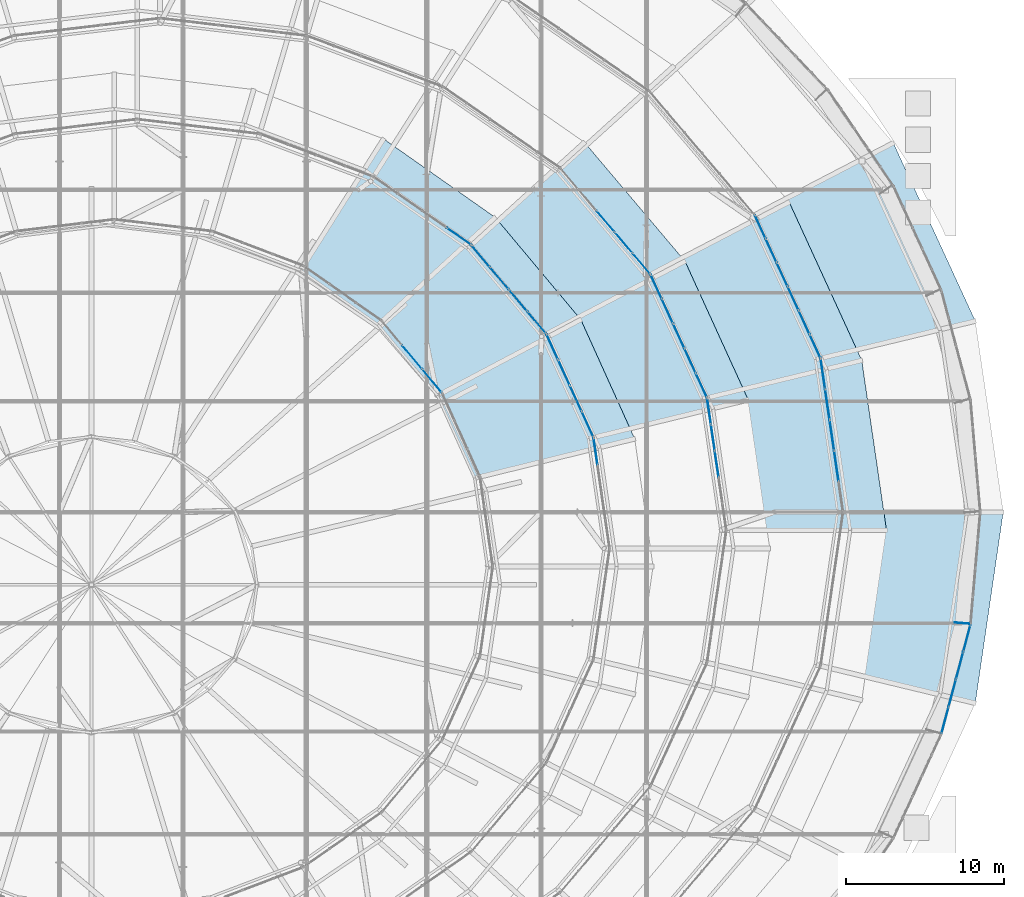
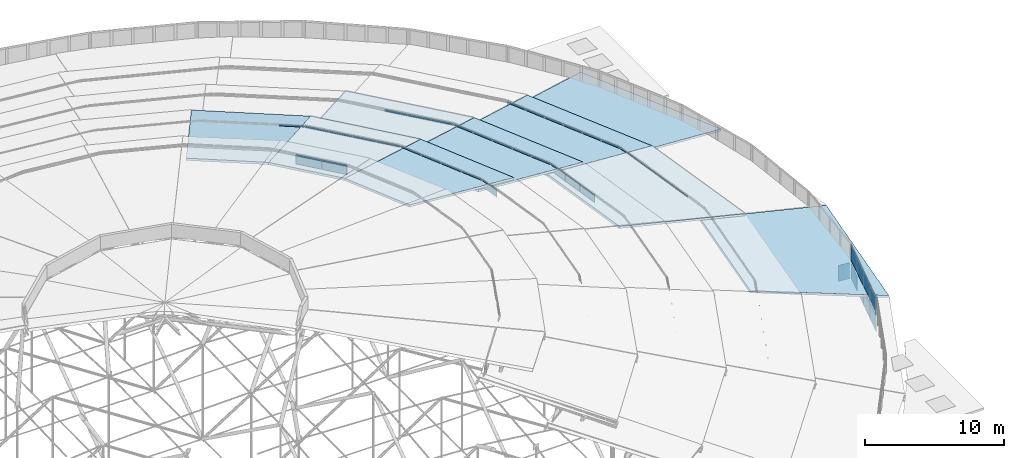
# One storey, part 153 of 173: 42 plates, 9 slabs, 15 elements without a shape of their own.
"""IFC4 building model written with IfcOpenShell, lengths in metres."""

import ifcopenshell
import ifcopenshell.guid

model = None  # the IFC model being written
_history = None  # IfcOwnerHistory: only IFC2X3 demands one
_inside = {}  # id of a spatial element -> (the spatial element, [elements in it])
_under = {}  # id of a project, library or spatial element -> (it, [spatial elements below it])
_declared = {}  # id of a project -> (the project, [libraries it declares])
_typed = {}  # id of a type object -> (the type object, [elements of that type])
_made_of = {}  # id of a material, layer set ... -> (it, [elements and type objects made of it])


def new_model(schema):
    """Start an empty IFC model of exactly this schema.

    Asked for "IFC4X3", IfcOpenShell would pick the latest addendum, in which some entities
    have other attributes; the version numbers below select the first issue.
    IFC2X3 requires an IfcOwnerHistory on every rooted entity: one is made here for all.
    """
    global model, _history
    if schema == "IFC4X3":
        model = ifcopenshell.file(schema_version=(4, 3, 0, 0))
    else:
        model = ifcopenshell.file(schema=schema)
    _inside.clear()
    _under.clear()
    _declared.clear()
    _typed.clear()
    _made_of.clear()
    _history = None
    if model.schema == "IFC2X3":
        org = make("IfcOrganization", Name="unknown")
        user = make(
            "IfcPersonAndOrganization",
            ThePerson=make("IfcPerson", FamilyName="unknown"),
            TheOrganization=org,
        )
        app = make(
            "IfcApplication",
            ApplicationDeveloper=org,
            Version="unknown",
            ApplicationFullName="unknown",
            ApplicationIdentifier="unknown",
        )
        _history = make(
            "IfcOwnerHistory",
            OwningUser=user,
            OwningApplication=app,
            ChangeAction="ADDED",
            CreationDate=0,
        )
    return model


def make(cls, **values):
    """One entity of the class cls with the attributes given. An attribute that is None is left unset."""
    return model.create_entity(
        cls, **{name: value for name, value in values.items() if value is not None}
    )


def rooted(cls, **values):
    """An entity with a GlobalId (a new one), such as an element, a storey or a relation."""
    return make(cls, GlobalId=ifcopenshell.guid.new(), OwnerHistory=_history, **values)


def si_unit(unit_type, name, prefix=None):
    """IfcSIUnit, for example si_unit("LENGTHUNIT", "METRE", prefix="MILLI")."""
    return make("IfcSIUnit", UnitType=unit_type, Prefix=prefix, Name=name)


def assignment(units):
    """IfcUnitAssignment: the units of a project."""
    return None if units is None else make("IfcUnitAssignment", Units=units)


def point(xyz):
    """IfcCartesianPoint."""
    return None if xyz is None else make("IfcCartesianPoint", Coordinates=xyz)


def direction(xyz):
    """IfcDirection."""
    return None if xyz is None else make("IfcDirection", DirectionRatios=xyz)


def frame(location, z_axis=None, x_axis=None):
    """IfcAxis2Placement3D, a coordinate frame: its origin and axes. An axis left out is left unset."""
    return make(
        "IfcAxis2Placement3D",
        Location=point(location),
        Axis=direction(z_axis),
        RefDirection=direction(x_axis),
    )


def frame_2d(location, x_axis=None):
    """IfcAxis2Placement2D, a coordinate frame in the plane: its origin and x axis."""
    return make(
        "IfcAxis2Placement2D", Location=point(location), RefDirection=direction(x_axis)
    )


def origin():
    """The frame at (0, 0, 0) with its axes left unset."""
    return frame((0.0, 0.0, 0.0))


def origin_2d():
    """The frame at (0, 0) in the plane with its x axis left unset."""
    return frame_2d((0.0, 0.0))


def place(relative_to, where):
    """IfcLocalPlacement: puts the frame where relative to a parent placement (None: the world)."""
    return make(
        "IfcLocalPlacement", PlacementRelTo=relative_to, RelativePlacement=where
    )


def context(
    kind, dimensions, precision=None, world=None, true_north=None, identifier=None
):
    """IfcGeometricRepresentationContext, for example the 3D "Model" context."""
    return make(
        "IfcGeometricRepresentationContext",
        ContextIdentifier=identifier,
        ContextType=kind,
        CoordinateSpaceDimension=dimensions,
        Precision=precision,
        WorldCoordinateSystem=world,
        TrueNorth=true_north,
    )


def subcontext(parent, identifier, kind, view, scale=None):
    """IfcGeometricRepresentationSubContext, for example "Body" below "Model"."""
    return make(
        "IfcGeometricRepresentationSubContext",
        ContextIdentifier=identifier,
        ContextType=kind,
        ParentContext=parent,
        TargetScale=scale,
        TargetView=view,
    )


def project(units=None, contexts=None):
    """IfcProject with its units and contexts."""
    return rooted(
        "IfcProject",
        Name="project",
        RepresentationContexts=contexts,
        UnitsInContext=assignment(units),
    )


def spatial(cls, under=None, at=None, **own):
    """A site, building, storey or space (cls), placed at a placement, below another one or the project."""
    s = rooted(cls, ObjectPlacement=at, **own)
    if under is not None:
        _under.setdefault(under.id(), (under, []))[1].append(s)
    return s


def polyline(points):
    """IfcPolyline through the points."""
    return make("IfcPolyline", Points=[point(p) for p in points])


def profile(cls, at=None, kind="AREA", **sizes):
    """A parametric profile (cls). Its sizes go by their IFC names, for example OverallWidth=200.0."""
    return make(cls, ProfileType=kind, Position=at, **sizes)


def rectangle(**sizes):
    """IfcRectangleProfileDef."""
    return profile("IfcRectangleProfileDef", **sizes)


def outline(outer, holes=None, kind="AREA"):
    """IfcArbitraryClosedProfileDef: a profile drawn as a closed curve; with holes, ...WithVoids."""
    if holes is None:
        return make("IfcArbitraryClosedProfileDef", ProfileType=kind, OuterCurve=outer)
    return make(
        "IfcArbitraryProfileDefWithVoids",
        ProfileType=kind,
        OuterCurve=outer,
        InnerCurves=holes,
    )


def extrude(swept, where, along, depth):
    """IfcExtrudedAreaSolid: the profile swept, set in the frame where, extruded along a direction by depth."""
    return make(
        "IfcExtrudedAreaSolid",
        SweptArea=swept,
        Position=where,
        ExtrudedDirection=direction(along),
        Depth=depth,
    )


def shape(context_of_items, identifier, shape_type, items):
    """IfcShapeRepresentation: the items that make up one representation, for example the "Body"."""
    return make(
        "IfcShapeRepresentation",
        ContextOfItems=context_of_items,
        RepresentationIdentifier=identifier,
        RepresentationType=shape_type,
        Items=items,
    )


def material(Name=None, Category=None):
    """IfcMaterial."""
    return make("IfcMaterial", Name=Name, Category=Category)


def layer(
    of_material, thickness, ventilated=None, Name=None, Category=None, Priority=None
):
    """IfcMaterialLayer: one layer of a wall or slab, of a material (None: an air gap)."""
    return make(
        "IfcMaterialLayer",
        Material=of_material,
        LayerThickness=thickness,
        IsVentilated=ventilated,
        Name=Name,
        Category=Category,
        Priority=Priority,
    )


def layer_set(layers, Name=None):
    """IfcMaterialLayerSet."""
    return make("IfcMaterialLayerSet", MaterialLayers=layers, LayerSetName=Name)


def made_of(thing, what):
    """Note that an element or type object is made of a material, layer set ...; save() writes the relation."""
    if what is not None:
        _made_of.setdefault(what.id(), (what, []))[1].append(thing)
    return thing


def type_object(cls, material=None, **own):
    """A type object (cls), such as IfcWallType, which elements share."""
    return made_of(rooted(cls, **own), material)


def element(
    cls,
    number,
    at=None,
    inside=None,
    cuts=None,
    type_object=None,
    material=None,
    context=None,
    identifier="Body",
    shape_type=None,
    held_by="IfcProductDefinitionShape",
    body=None,
    shapes=None,
    **own,
):
    """One element of the class cls, such as IfcWall. Its Tag is "e" and its number.

    at: its placement. inside: the storey or other place that contains it. cuts: it is an
    opening in that element (IfcRelVoidsElement). A single representation is given by context,
    identifier, shape_type and body (its items); several are given by shapes. held_by: the class
    of the entity that holds the representations. save() writes the other relations.
    """
    e = rooted(cls, Tag="e%d" % number, ObjectPlacement=at, **own)
    if body is not None:
        shapes = [shape(context, identifier, shape_type, body)]
    if shapes is not None:
        e.Representation = make(held_by, Representations=shapes)
    if inside is not None:
        _inside.setdefault(inside.id(), (inside, []))[1].append(e)
    if cuts is not None:
        rooted(
            "IfcRelVoidsElement", RelatingBuildingElement=cuts, RelatedOpeningElement=e
        )
    if type_object is not None:
        _typed.setdefault(type_object.id(), (type_object, []))[1].append(e)
    return made_of(e, material)


def aggregate(whole, parts):
    """IfcRelAggregates: a whole, such as a stair, and the parts it consists of."""
    return rooted("IfcRelAggregates", RelatingObject=whole, RelatedObjects=parts)


def save(model, path):
    """Write the relations noted so far, then the file.

    IfcRelAggregates (storeys below a building ...), IfcRelContainedInSpatialStructure (elements
    in a storey), IfcRelDefinesByType, IfcRelAssociatesMaterial and IfcRelDeclares: one each for
    every whole, place, type object, material and project.
    """
    for whole, parts in _under.values():
        aggregate(whole, parts)
    for where, things in _inside.values():
        rooted(
            "IfcRelContainedInSpatialStructure",
            RelatedElements=things,
            RelatingStructure=where,
        )
    for kind, things in _typed.values():
        rooted("IfcRelDefinesByType", RelatedObjects=things, RelatingType=kind)
    for what, things in _made_of.values():
        rooted("IfcRelAssociatesMaterial", RelatedObjects=things, RelatingMaterial=what)
    for by, libraries in _declared.values():
        rooted("IfcRelDeclares", RelatingContext=by, RelatedDefinitions=libraries)
    model.write(path)


model = new_model("IFC4")

# Units and contexts
model_context = context("Model", 3, precision=1e-05, world=origin(), true_north=direction((0.0, 1.0)))
body_context = subcontext(model_context, "Body", "Model", "MODEL_VIEW")
ifc_project = project(units=[si_unit("LENGTHUNIT", "METRE"), si_unit("AREAUNIT", "SQUARE_METRE"), si_unit("VOLUMEUNIT", "CUBIC_METRE"), si_unit("PLANEANGLEUNIT", "RADIAN"), si_unit("MASSUNIT", "GRAM", prefix="KILO")], contexts=[model_context])

# Site, building, storey
site_placement = place(None, origin())
site = spatial("IfcSite", under=ifc_project, at=site_placement, CompositionType="ELEMENT")
building_placement = place(site_placement, origin())
building = spatial("IfcBuilding", under=site, at=building_placement, Name="Glasvene Arena", CompositionType="ELEMENT")
storey_placement = place(building_placement, frame((0.0, 0.0, 28.800048828125)))
storey = spatial("IfcBuildingStorey", under=building, at=storey_placement, Name="RF", CompositionType="ELEMENT", Elevation=28.800048828125)

# Curtain wall, plates
ifc_material_1 = material(Name="Low-emissivity laminated double glazing", Category="glass")
curtain_wall_type_1 = type_object("IfcCurtainWallType", Name="CW-PET1-986x75", PredefinedType="USERDEFINED", material=ifc_material_1)
curtain_wall_1_placement = place(storey_placement, frame((133.85009765625, 73.0, 0.0)))
curtain_wall_1 = element("IfcCurtainWall", 1, at=curtain_wall_1_placement, inside=storey, type_object=curtain_wall_type_1, Name="Petal ring 1-2 clerestory curtain wall 01", ObjectType="CURTAIN WALL", PredefinedType="USERDEFINED")
ifc_layer_1 = layer(ifc_material_1, 0.028076171875)
ifc_layer_set_1 = layer_set([ifc_layer_1], Name="Low-emissivity laminated double glazing")
plate_type_1 = type_object("IfcPlateType", Name="CW-GLZ-28", PredefinedType="CURTAIN_PANEL", material=ifc_layer_set_1)
plate_1_placement = place(storey_placement, frame((133.422119140625, 75.92724609375, 2.6298828125), z_axis=(0.0, 0.0, 1.0), x_axis=(-0.144607878249, 0.989489040641, 0.0)))
plate_1 = element("IfcPlate", 2, at=plate_1_placement, type_object=plate_type_1, Name="CW-081 panel 2.1", PredefinedType="CURTAIN_PANEL", context=body_context, shape_type="SweptSolid", body=[
    extrude(rectangle(XDim=1.922119140625, YDim=0.028076171875, at=origin_2d()), origin(), (0.0, 0.0, 1.0), 0.64990234375),
])
plate_2_placement = place(storey_placement, frame((133.136962890625, 77.878662109375, 2.6298828125), z_axis=(0.0, 0.0, 1.0), x_axis=(-0.144607878249, 0.989489040641, 0.0)))
plate_2 = element("IfcPlate", 3, at=plate_2_placement, type_object=plate_type_1, Name="CW-081 panel 3.1", PredefinedType="CURTAIN_PANEL", context=body_context, shape_type="SweptSolid", body=[
    extrude(rectangle(XDim=1.922119140625, YDim=0.028076171875, at=origin_2d()), origin(), (0.0, 0.0, 1.0), 0.64990234375),
])
plate_3_placement = place(storey_placement, frame((132.851806640625, 79.830322265625, 2.6298828125), z_axis=(0.0, 0.0, 1.0), x_axis=(-0.144607878249, 0.989489040641, 0.0)))
plate_3 = element("IfcPlate", 4, at=plate_3_placement, type_object=plate_type_1, Name="CW-081 panel 4.1", PredefinedType="CURTAIN_PANEL", context=body_context, shape_type="SweptSolid", body=[
    extrude(rectangle(XDim=1.922119140625, YDim=0.028076171875, at=origin_2d()), origin(), (0.0, 0.0, 1.0), 0.64990234375),
])
plate_4_placement = place(storey_placement, frame((132.568359375, 81.769287109375, 2.6298828125), z_axis=(0.0, 0.0, 1.0), x_axis=(-0.144607878249, 0.989489040641, 0.0)))
plate_4 = element("IfcPlate", 5, at=plate_4_placement, type_object=plate_type_1, Name="CW-081 panel 5.1", PredefinedType="CURTAIN_PANEL", context=body_context, shape_type="SweptSolid", body=[
    extrude(rectangle(XDim=1.897216796875, YDim=0.028076171875, at=origin_2d()), origin(), (0.0, 0.0, 1.0), 0.64990234375),
])
aggregate(curtain_wall_1, [plate_1, plate_2, plate_3, plate_4])

curtain_wall_type_2 = type_object("IfcCurtainWallType", Name="CW-PET1-1001x75", PredefinedType="USERDEFINED", material=ifc_material_1)
curtain_wall_2_placement = place(storey_placement, frame((132.424072265625, 82.757568359375, 0.0)))
curtain_wall_2 = element("IfcCurtainWall", 6, at=curtain_wall_2_placement, inside=storey, type_object=curtain_wall_type_2, Name="Petal ring 1-2 clerestory curtain wall 02", ObjectType="CURTAIN WALL", PredefinedType="USERDEFINED")
plate_5_placement = place(storey_placement, frame((132.0703125, 83.526611328125, 2.6298828125), z_axis=(0.0, 0.0, 1.0), x_axis=(-0.41776127596, 0.908556831634, 0.0)))
plate_5 = element("IfcPlate", 7, at=plate_5_placement, type_object=plate_type_1, Name="CW-082 panel 1.1", PredefinedType="CURTAIN_PANEL", context=body_context, shape_type="SweptSolid", body=[
    extrude(rectangle(XDim=1.593017578125, YDim=0.028076171875, at=origin_2d()), origin(), (0.0, 0.0, 1.0), 0.64990234375),
])
plate_6_placement = place(storey_placement, frame((131.37890625, 85.030517578125, 2.6298828125), z_axis=(0.0, 0.0, 1.0), x_axis=(-0.41776127596, 0.908556831634, 0.0)))
plate_6 = element("IfcPlate", 8, at=plate_6_placement, type_object=plate_type_1, Name="CW-082 panel 2.1", PredefinedType="CURTAIN_PANEL", context=body_context, shape_type="SweptSolid", body=[
    extrude(rectangle(XDim=1.617919921875, YDim=0.028076171875, at=origin_2d()), origin(), (0.0, 0.0, 1.0), 0.64990234375),
])
plate_7_placement = place(storey_placement, frame((130.681884765625, 86.546142578125, 2.6298828125), z_axis=(0.0, 0.0, 1.0), x_axis=(-0.41776127596, 0.908556831634, 0.0)))
plate_7 = element("IfcPlate", 9, at=plate_7_placement, type_object=plate_type_1, Name="CW-082 panel 3.1", PredefinedType="CURTAIN_PANEL", context=body_context, shape_type="SweptSolid", body=[
    extrude(rectangle(XDim=1.617919921875, YDim=0.028076171875, at=origin_2d()), origin(), (0.0, 0.0, 1.0), 0.64990234375),
])
plate_8_placement = place(storey_placement, frame((129.985107421875, 88.0615234375, 2.6298828125), z_axis=(0.0, 0.0, 1.0), x_axis=(-0.41776127596, 0.908556831634, 0.0)))
plate_8 = element("IfcPlate", 10, at=plate_8_placement, type_object=plate_type_1, Name="CW-082 panel 4.1", PredefinedType="CURTAIN_PANEL", context=body_context, shape_type="SweptSolid", body=[
    extrude(rectangle(XDim=1.617919921875, YDim=0.028076171875, at=origin_2d()), origin(), (0.0, 0.0, 1.0), 0.64990234375),
])
plate_9_placement = place(storey_placement, frame((129.288330078125, 89.576904296875, 2.6298828125), z_axis=(0.0, 0.0, 1.0), x_axis=(-0.41776127596, 0.908556831634, 0.0)))
plate_9 = element("IfcPlate", 11, at=plate_9_placement, type_object=plate_type_1, Name="CW-082 panel 5.1", PredefinedType="CURTAIN_PANEL", context=body_context, shape_type="SweptSolid", body=[
    extrude(rectangle(XDim=1.617919921875, YDim=0.028076171875, at=origin_2d()), origin(), (0.0, 0.0, 1.0), 0.64990234375),
])
plate_10_placement = place(storey_placement, frame((128.596923828125, 91.0810546875, 2.6298828125), z_axis=(0.0, 0.0, 1.0), x_axis=(-0.41776127596, 0.908556831634, 0.0)))
plate_10 = element("IfcPlate", 12, at=plate_10_placement, type_object=plate_type_1, Name="CW-082 panel 6.1", PredefinedType="CURTAIN_PANEL", context=body_context, shape_type="SweptSolid", body=[
    extrude(rectangle(XDim=1.593017578125, YDim=0.028076171875, at=origin_2d()), origin(), (0.0, 0.0, 1.0), 0.64990234375),
])
aggregate(curtain_wall_2, [plate_5, plate_6, plate_7, plate_8, plate_9, plate_10])

curtain_wall_type_3 = type_object("IfcCurtainWallType", Name="CW-PET2-849x75", PredefinedType="USERDEFINED", material=ifc_material_1)
curtain_wall_3_placement = place(storey_placement, frame((126.449951171875, 71.85009765625, 0.0)))
curtain_wall_3 = element("IfcCurtainWall", 13, at=curtain_wall_3_placement, inside=storey, type_object=curtain_wall_type_3, Name="Petal ring 2-3 clerestory curtain wall 01", ObjectType="CURTAIN WALL", PredefinedType="USERDEFINED")
plate_11_placement = place(storey_placement, frame((125.83837890625, 76.04931640625, 5.22998046875), z_axis=(0.0, 0.0, 1.0), x_axis=(-0.144132635268, 0.98955837799, 0.0)))
plate_11 = element("IfcPlate", 14, at=plate_11_placement, type_object=plate_type_1, Name="CW-087 panel 3.1", PredefinedType="CURTAIN_PANEL", context=body_context, shape_type="SweptSolid", body=[
    extrude(rectangle(XDim=1.6474609375, YDim=0.028076171875, at=origin_2d()), origin(), (0.0, 0.0, 1.0), 0.64990234375),
])
plate_12_placement = place(storey_placement, frame((125.59375, 77.72900390625, 5.22998046875), z_axis=(0.0, 0.0, 1.0), x_axis=(-0.144132635268, 0.98955837799, 0.0)))
plate_12 = element("IfcPlate", 15, at=plate_12_placement, type_object=plate_type_1, Name="CW-087 panel 4.1", PredefinedType="CURTAIN_PANEL", context=body_context, shape_type="SweptSolid", body=[
    extrude(rectangle(XDim=1.6474609375, YDim=0.028076171875, at=origin_2d()), origin(), (0.0, 0.0, 1.0), 0.64990234375),
])
plate_13_placement = place(storey_placement, frame((125.350830078125, 79.396484375, 5.22998046875), z_axis=(0.0, 0.0, 1.0), x_axis=(-0.144132635268, 0.98955837799, 0.0)))
plate_13 = element("IfcPlate", 16, at=plate_13_placement, type_object=plate_type_1, Name="CW-087 panel 5.1", PredefinedType="CURTAIN_PANEL", context=body_context, shape_type="SweptSolid", body=[
    extrude(rectangle(XDim=1.62255859375, YDim=0.028076171875, at=origin_2d()), origin(), (0.0, 0.0, 1.0), 0.64990234375),
])
aggregate(curtain_wall_3, [plate_11, plate_12, plate_13])

curtain_wall_type_4 = type_object("IfcCurtainWallType", Name="CW-PET2-861x75", PredefinedType="USERDEFINED", material=ifc_material_1)
curtain_wall_4_placement = place(storey_placement, frame((125.226806640625, 80.248779296875, 0.0)))
curtain_wall_4 = element("IfcCurtainWall", 17, at=curtain_wall_4_placement, inside=storey, type_object=curtain_wall_type_4, Name="Petal ring 2-3 clerestory curtain wall 02", ObjectType="CURTAIN WALL", PredefinedType="USERDEFINED")
plate_14_placement = place(storey_placement, frame((124.86279296875, 81.042724609375, 5.22998046875), z_axis=(0.0, 0.0, 1.0), x_axis=(-0.416591913749, 0.909093602111, 0.0)))
plate_14 = element("IfcPlate", 18, at=plate_14_placement, type_object=plate_type_1, Name="CW-088 panel 1.1", PredefinedType="CURTAIN_PANEL", context=body_context, shape_type="SweptSolid", body=[
    extrude(rectangle(XDim=1.646728515625, YDim=0.028076171875, at=origin_2d()), origin(), (0.0, 0.0, 1.0), 0.64990234375),
])
plate_15_placement = place(storey_placement, frame((124.15087890625, 82.5966796875, 5.22998046875), z_axis=(0.0, 0.0, 1.0), x_axis=(-0.416591913749, 0.909093602111, 0.0)))
plate_15 = element("IfcPlate", 19, at=plate_15_placement, type_object=plate_type_1, Name="CW-088 panel 2.1", PredefinedType="CURTAIN_PANEL", context=body_context, shape_type="SweptSolid", body=[
    extrude(rectangle(XDim=1.671875, YDim=0.028076171875, at=origin_2d()), origin(), (0.0, 0.0, 1.0), 0.64990234375),
])
plate_16_placement = place(storey_placement, frame((123.43359375, 84.161865234375, 5.22998046875), z_axis=(0.0, 0.0, 1.0), x_axis=(-0.416591913749, 0.909093602111, 0.0)))
plate_16 = element("IfcPlate", 20, at=plate_16_placement, type_object=plate_type_1, Name="CW-088 panel 3.1", PredefinedType="CURTAIN_PANEL", context=body_context, shape_type="SweptSolid", body=[
    extrude(rectangle(XDim=1.671875, YDim=0.028076171875, at=origin_2d()), origin(), (0.0, 0.0, 1.0), 0.64990234375),
])
plate_17_placement = place(storey_placement, frame((122.71630859375, 85.72705078125, 5.22998046875), z_axis=(0.0, 0.0, 1.0), x_axis=(-0.416591913749, 0.909093602111, 0.0)))
plate_17 = element("IfcPlate", 21, at=plate_17_placement, type_object=plate_type_1, Name="CW-088 panel 4.1", PredefinedType="CURTAIN_PANEL", context=body_context, shape_type="SweptSolid", body=[
    extrude(rectangle(XDim=1.671875, YDim=0.028076171875, at=origin_2d()), origin(), (0.0, 0.0, 1.0), 0.64990234375),
])
plate_18_placement = place(storey_placement, frame((122.004150390625, 87.281005859375, 5.22998046875), z_axis=(0.0, 0.0, 1.0), x_axis=(-0.416591913749, 0.909093602111, 0.0)))
plate_18 = element("IfcPlate", 22, at=plate_18_placement, type_object=plate_type_1, Name="CW-088 panel 5.1", PredefinedType="CURTAIN_PANEL", context=body_context, shape_type="SweptSolid", body=[
    extrude(rectangle(XDim=1.646728515625, YDim=0.028076171875, at=origin_2d()), origin(), (0.0, 0.0, 1.0), 0.64990234375),
])
aggregate(curtain_wall_4, [plate_14, plate_15, plate_16, plate_17, plate_18])

curtain_wall_type_5 = type_object("IfcCurtainWallType", Name="CW-PET2-882x75", PredefinedType="USERDEFINED", material=ifc_material_1)
curtain_wall_5_placement = place(storey_placement, frame((121.640380859375, 88.074951171875, 0.0)))
curtain_wall_5 = element("IfcCurtainWall", 23, at=curtain_wall_5_placement, inside=storey, type_object=curtain_wall_type_5, Name="Petal ring 2-3 clerestory curtain wall 03", ObjectType="CURTAIN WALL", PredefinedType="USERDEFINED")
plate_19_placement = place(storey_placement, frame((121.061767578125, 88.756591796875, 5.22998046875), z_axis=(0.0, 0.0, 1.0), x_axis=(-0.647166893632, 0.762348353305, 0.0)))
plate_19 = element("IfcPlate", 24, at=plate_19_placement, type_object=plate_type_1, Name="CW-089 panel 1.1", PredefinedType="CURTAIN_PANEL", context=body_context, shape_type="SweptSolid", body=[
    extrude(rectangle(XDim=1.688232421875, YDim=0.028076171875, at=origin_2d()), origin(), (0.0, 0.0, 1.0), 0.64990234375),
])
plate_20_placement = place(storey_placement, frame((119.9287109375, 90.091064453125, 5.22998046875), z_axis=(0.0, 0.0, 1.0), x_axis=(-0.647166893632, 0.762348353305, 0.0)))
plate_20 = element("IfcPlate", 25, at=plate_20_placement, type_object=plate_type_1, Name="CW-089 panel 2.1", PredefinedType="CURTAIN_PANEL", context=body_context, shape_type="SweptSolid", body=[
    extrude(rectangle(XDim=1.713134765625, YDim=0.028076171875, at=origin_2d()), origin(), (0.0, 0.0, 1.0), 0.64990234375),
])
plate_21_placement = place(storey_placement, frame((118.78759765625, 91.435302734375, 5.22998046875), z_axis=(0.0, 0.0, 1.0), x_axis=(-0.647166893632, 0.762348353305, 0.0)))
plate_21 = element("IfcPlate", 26, at=plate_21_placement, type_object=plate_type_1, Name="CW-089 panel 3.1", PredefinedType="CURTAIN_PANEL", context=body_context, shape_type="SweptSolid", body=[
    extrude(rectangle(XDim=1.713134765625, YDim=0.028076171875, at=origin_2d()), origin(), (0.0, 0.0, 1.0), 0.64990234375),
])
aggregate(curtain_wall_5, [plate_19, plate_20, plate_21])

# Curtain wall, plate
curtain_wall_type_6 = type_object("IfcCurtainWallType", Name="CW-PET3-711x75", PredefinedType="USERDEFINED", material=ifc_material_1)
curtain_wall_6_placement = place(storey_placement, frame((119.050048828125, 70.699951171875, 0.0)))
curtain_wall_6 = element("IfcCurtainWall", 27, at=curtain_wall_6_placement, inside=storey, type_object=curtain_wall_type_6, Name="Petal ring 3-4 clerestory curtain wall 01", ObjectType="CURTAIN WALL", PredefinedType="USERDEFINED")
plate_22_placement = place(storey_placement, frame((118.158935546875, 76.84765625, 7.8798828125), z_axis=(0.0, 0.0, 1.0), x_axis=(-0.143460001758, 0.989656115979, 0.0)))
plate_22 = element("IfcPlate", 28, at=plate_22_placement, type_object=plate_type_1, Name="CW-093 panel 4.1", PredefinedType="CURTAIN_PANEL", context=body_context, shape_type="SweptSolid", body=[
    extrude(rectangle(XDim=1.703369140625, YDim=0.028076171875, at=origin_2d()), origin(), (0.0, 0.0, 1.0), 0.64990234375),
])
aggregate(curtain_wall_6, [plate_22])

# Curtain wall, plates
curtain_wall_type_7 = type_object("IfcCurtainWallType", Name="CW-PET3-721x75", PredefinedType="USERDEFINED", material=ifc_material_1)
curtain_wall_7_placement = place(storey_placement, frame((118.029541015625, 77.739990234375, 0.0)))
curtain_wall_7 = element("IfcCurtainWall", 29, at=curtain_wall_7_placement, inside=storey, type_object=curtain_wall_type_7, Name="Petal ring 3-4 clerestory curtain wall 02", ObjectType="CURTAIN WALL", PredefinedType="USERDEFINED")
plate_23_placement = place(storey_placement, frame((117.650390625, 78.5712890625, 7.8798828125), z_axis=(0.0, 0.0, 1.0), x_axis=(-0.414967716717, 0.909836135842, 0.0)))
plate_23 = element("IfcPlate", 30, at=plate_23_placement, type_object=plate_type_1, Name="CW-094 panel 1.1", PredefinedType="CURTAIN_PANEL", context=body_context, shape_type="SweptSolid", body=[
    extrude(rectangle(XDim=1.7275390625, YDim=0.028076171875, at=origin_2d()), origin(), (0.0, 0.0, 1.0), 0.64990234375),
])
plate_24_placement = place(storey_placement, frame((116.907470703125, 80.199951171875, 7.8798828125), z_axis=(0.0, 0.0, 1.0), x_axis=(-0.414967716717, 0.909836135842, 0.0)))
plate_24 = element("IfcPlate", 31, at=plate_24_placement, type_object=plate_type_1, Name="CW-094 panel 2.1", PredefinedType="CURTAIN_PANEL", context=body_context, shape_type="SweptSolid", body=[
    extrude(rectangle(XDim=1.75244140625, YDim=0.028076171875, at=origin_2d()), origin(), (0.0, 0.0, 1.0), 0.64990234375),
])
plate_25_placement = place(storey_placement, frame((116.159423828125, 81.83984375, 7.8798828125), z_axis=(0.0, 0.0, 1.0), x_axis=(-0.414967716717, 0.909836135842, 0.0)))
plate_25 = element("IfcPlate", 32, at=plate_25_placement, type_object=plate_type_1, Name="CW-094 panel 3.1", PredefinedType="CURTAIN_PANEL", context=body_context, shape_type="SweptSolid", body=[
    extrude(rectangle(XDim=1.75244140625, YDim=0.028076171875, at=origin_2d()), origin(), (0.0, 0.0, 1.0), 0.64990234375),
])
plate_26_placement = place(storey_placement, frame((115.416748046875, 83.468505859375, 7.8798828125), z_axis=(0.0, 0.0, 1.0), x_axis=(-0.414967716717, 0.909836135842, 0.0)))
plate_26 = element("IfcPlate", 33, at=plate_26_placement, type_object=plate_type_1, Name="CW-094 panel 4.1", PredefinedType="CURTAIN_PANEL", context=body_context, shape_type="SweptSolid", body=[
    extrude(rectangle(XDim=1.7275390625, YDim=0.028076171875, at=origin_2d()), origin(), (0.0, 0.0, 1.0), 0.64990234375),
])
aggregate(curtain_wall_7, [plate_23, plate_24, plate_25, plate_26])

curtain_wall_type_8 = type_object("IfcCurtainWallType", Name="CW-PET3-737x75", PredefinedType="USERDEFINED", material=ifc_material_1)
curtain_wall_8_placement = place(storey_placement, frame((115.03759765625, 84.300048828125, 0.0)))
curtain_wall_8 = element("IfcCurtainWall", 34, at=curtain_wall_8_placement, inside=storey, type_object=curtain_wall_type_8, Name="Petal ring 3-4 clerestory curtain wall 03", ObjectType="CURTAIN WALL", PredefinedType="USERDEFINED")
plate_27_placement = place(storey_placement, frame((114.4345703125, 85.013671875, 7.8798828125), z_axis=(0.0, 0.0, 1.0), x_axis=(-0.645393801566, 0.763850012044, 0.0)))
plate_27 = element("IfcPlate", 35, at=plate_27_placement, type_object=plate_type_1, Name="CW-095 panel 1.1", PredefinedType="CURTAIN_PANEL", context=body_context, shape_type="SweptSolid", body=[
    extrude(rectangle(XDim=1.768798828125, YDim=0.028076171875, at=origin_2d()), origin(), (0.0, 0.0, 1.0), 0.64990234375),
])
plate_28_placement = place(storey_placement, frame((113.252685546875, 86.41259765625, 7.8798828125), z_axis=(0.0, 0.0, 1.0), x_axis=(-0.645393801566, 0.763850012044, 0.0)))
plate_28 = element("IfcPlate", 36, at=plate_28_placement, type_object=plate_type_1, Name="CW-095 panel 2.1", PredefinedType="CURTAIN_PANEL", context=body_context, shape_type="SweptSolid", body=[
    extrude(rectangle(XDim=1.793701171875, YDim=0.028076171875, at=origin_2d()), origin(), (0.0, 0.0, 1.0), 0.64990234375),
])
plate_29_placement = place(storey_placement, frame((112.062744140625, 87.82080078125, 7.8798828125), z_axis=(0.0, 0.0, 1.0), x_axis=(-0.645393801566, 0.763850012044, 0.0)))
plate_29 = element("IfcPlate", 37, at=plate_29_placement, type_object=plate_type_1, Name="CW-095 panel 3.1", PredefinedType="CURTAIN_PANEL", context=body_context, shape_type="SweptSolid", body=[
    extrude(rectangle(XDim=1.793701171875, YDim=0.028076171875, at=origin_2d()), origin(), (0.0, 0.0, 1.0), 0.64990234375),
])
plate_30_placement = place(storey_placement, frame((110.880859375, 89.219482421875, 7.8798828125), z_axis=(0.0, 0.0, 1.0), x_axis=(-0.645393801566, 0.763850012044, 0.0)))
plate_30 = element("IfcPlate", 38, at=plate_30_placement, type_object=plate_type_1, Name="CW-095 panel 4.1", PredefinedType="CURTAIN_PANEL", context=body_context, shape_type="SweptSolid", body=[
    extrude(rectangle(XDim=1.768798828125, YDim=0.028076171875, at=origin_2d()), origin(), (0.0, 0.0, 1.0), 0.64990234375),
])
aggregate(curtain_wall_8, [plate_27, plate_28, plate_29, plate_30])

# Curtain wall, plate
curtain_wall_type_9 = type_object("IfcCurtainWallType", Name="CW-PET3-756x75", PredefinedType="USERDEFINED", material=ifc_material_1)
curtain_wall_9_placement = place(storey_placement, frame((110.27783203125, 89.933349609375, 0.0)))
curtain_wall_9 = element("IfcCurtainWall", 39, at=curtain_wall_9_placement, inside=storey, type_object=curtain_wall_type_9, Name="Petal ring 3-4 clerestory curtain wall 04", ObjectType="CURTAIN WALL", PredefinedType="USERDEFINED")
plate_31_placement = place(storey_placement, frame((109.4921875, 90.480712890625, 7.8798828125), z_axis=(0.0, 0.0, 1.0), x_axis=(-0.82043313701, 0.571742483725, 0.0)))
plate_31 = element("IfcPlate", 40, at=plate_31_placement, type_object=plate_type_1, Name="CW-096 panel 1.1", PredefinedType="CURTAIN_PANEL", context=body_context, shape_type="SweptSolid", body=[
    extrude(rectangle(XDim=1.815185546875, YDim=0.028076171875, at=origin_2d()), origin(), (0.0, 0.0, 1.0), 0.64990234375),
])
aggregate(curtain_wall_9, [plate_31])

# Curtain wall, plates
curtain_wall_type_10 = type_object("IfcCurtainWallType", Name="CW-PET4-594x92", PredefinedType="USERDEFINED", material=ifc_material_1)
curtain_wall_10_placement = place(storey_placement, frame((108.4345703125, 80.550048828125, 0.0)))
curtain_wall_10 = element("IfcCurtainWall", 41, at=curtain_wall_10_placement, inside=storey, type_object=curtain_wall_type_10, Name="Petal ring 4-5 clerestory curtain wall 03", ObjectType="CURTAIN WALL", PredefinedType="USERDEFINED")
plate_32_placement = place(storey_placement, frame((107.791015625, 81.31884765625, 10.580078125), z_axis=(0.0, 0.0, 1.0), x_axis=(-0.64187958935, 0.766805446496, 0.0)))
plate_32 = element("IfcPlate", 42, at=plate_32_placement, type_object=plate_type_1, Name="CW-101 panel 1.1", PredefinedType="CURTAIN_PANEL", context=body_context, shape_type="SweptSolid", body=[
    extrude(rectangle(XDim=1.90576171875, YDim=0.028076171875, at=origin_2d()), origin(), (0.0, 0.0, 1.0), 0.81591796875),
])
plate_33_placement = place(storey_placement, frame((106.527587890625, 82.828125, 10.580078125), z_axis=(0.0, 0.0, 1.0), x_axis=(-0.64187958935, 0.766805446496, 0.0)))
plate_33 = element("IfcPlate", 43, at=plate_33_placement, type_object=plate_type_1, Name="CW-101 panel 2.1", PredefinedType="CURTAIN_PANEL", context=body_context, shape_type="SweptSolid", body=[
    extrude(rectangle(XDim=1.9306640625, YDim=0.028076171875, at=origin_2d()), origin(), (0.0, 0.0, 1.0), 0.81591796875),
])
aggregate(curtain_wall_10, [plate_32, plate_33])

curtain_wall_type_11 = type_object("IfcCurtainWallType", Name="CW-DRUM-719x310", PredefinedType="USERDEFINED", material=ifc_material_1)
curtain_wall_11_placement = place(storey_placement, frame((140.075927734375, 58.92431640625, 0.0)))
curtain_wall_11 = element("IfcCurtainWall", 44, at=curtain_wall_11_placement, inside=storey, type_object=curtain_wall_type_11, Name="Crown compression-ring fascia curtain wall 39", ObjectType="CURTAIN WALL", PredefinedType="USERDEFINED")
ifc_material_2 = material(Name="Insulated shadow-box spandrel panel")
ifc_layer_2 = layer(ifc_material_2, 0.02392578125)
ifc_layer_set_2 = layer_set([ifc_layer_2], Name="Insulated shadow-box spandrel panel")
plate_type_2 = type_object("IfcPlateType", Name="CW-SPN-24", PredefinedType="CURTAIN_PANEL", material=ifc_layer_set_2)
plate_34_placement = place(storey_placement, frame((140.310546875, 59.80517578125, -1.330078125), z_axis=(0.0, 0.0, 1.0), x_axis=(0.257447172039, 0.966292374807, 0.0)))
plate_34 = element("IfcPlate", 45, at=plate_34_placement, type_object=plate_type_2, Name="CW-072 panel 1.1", PredefinedType="CURTAIN_PANEL", context=body_context, shape_type="SweptSolid", body=[
    extrude(rectangle(XDim=1.72314453125, YDim=0.02392578125, at=origin_2d()), origin(), (0.0, 0.0, 1.0), 1.324951171875),
])
plate_35_placement = place(storey_placement, frame((140.310546875, 59.80517578125, 0.044921875), z_axis=(0.0, 0.0, 1.0), x_axis=(0.257447172039, 0.966292374807, 0.0)))
plate_35 = element("IfcPlate", 46, at=plate_35_placement, type_object=plate_type_2, Name="CW-072 panel 1.2", PredefinedType="CURTAIN_PANEL", context=body_context, shape_type="SweptSolid", body=[
    extrude(rectangle(XDim=1.72314453125, YDim=0.02392578125, at=origin_2d()), origin(), (0.0, 0.0, 1.0), 1.625),
])
plate_36_placement = place(storey_placement, frame((140.770263671875, 61.530517578125, -1.330078125), z_axis=(0.0, 0.0, 1.0), x_axis=(0.257447172039, 0.966292374807, 0.0)))
plate_36 = element("IfcPlate", 47, at=plate_36_placement, type_object=plate_type_2, Name="CW-072 panel 2.1", PredefinedType="CURTAIN_PANEL", context=body_context, shape_type="SweptSolid", body=[
    extrude(rectangle(XDim=1.748046875, YDim=0.02392578125, at=origin_2d()), origin(), (0.0, 0.0, 1.0), 1.324951171875),
])
plate_37_placement = place(storey_placement, frame((140.770263671875, 61.530517578125, 0.044921875), z_axis=(0.0, 0.0, 1.0), x_axis=(0.257447172039, 0.966292374807, 0.0)))
plate_37 = element("IfcPlate", 48, at=plate_37_placement, type_object=plate_type_2, Name="CW-072 panel 2.2", PredefinedType="CURTAIN_PANEL", context=body_context, shape_type="SweptSolid", body=[
    extrude(rectangle(XDim=1.748046875, YDim=0.02392578125, at=origin_2d()), origin(), (0.0, 0.0, 1.0), 1.625),
])
plate_38_placement = place(storey_placement, frame((141.233154296875, 63.26806640625, -1.330078125), z_axis=(0.0, 0.0, 1.0), x_axis=(0.257447172039, 0.966292374807, 0.0)))
plate_38 = element("IfcPlate", 49, at=plate_38_placement, type_object=plate_type_2, Name="CW-072 panel 3.1", PredefinedType="CURTAIN_PANEL", context=body_context, shape_type="SweptSolid", body=[
    extrude(rectangle(XDim=1.748046875, YDim=0.02392578125, at=origin_2d()), origin(), (0.0, 0.0, 1.0), 1.324951171875),
])
plate_39_placement = place(storey_placement, frame((141.233154296875, 63.26806640625, 0.044921875), z_axis=(0.0, 0.0, 1.0), x_axis=(0.257447172039, 0.966292374807, 0.0)))
plate_39 = element("IfcPlate", 50, at=plate_39_placement, type_object=plate_type_2, Name="CW-072 panel 3.2", PredefinedType="CURTAIN_PANEL", context=body_context, shape_type="SweptSolid", body=[
    extrude(rectangle(XDim=1.748046875, YDim=0.02392578125, at=origin_2d()), origin(), (0.0, 0.0, 1.0), 1.625),
])
plate_40_placement = place(storey_placement, frame((141.69287109375, 64.99365234375, -1.330078125), z_axis=(0.0, 0.0, 1.0), x_axis=(0.257447172039, 0.966292374807, 0.0)))
plate_40 = element("IfcPlate", 51, at=plate_40_placement, type_object=plate_type_2, Name="CW-072 panel 4.1", PredefinedType="CURTAIN_PANEL", context=body_context, shape_type="SweptSolid", body=[
    extrude(rectangle(XDim=1.72314453125, YDim=0.02392578125, at=origin_2d()), origin(), (0.0, 0.0, 1.0), 1.324951171875),
])
plate_41_placement = place(storey_placement, frame((141.69287109375, 64.99365234375, 0.044921875), z_axis=(0.0, 0.0, 1.0), x_axis=(0.257447172039, 0.966292374807, 0.0)))
plate_41 = element("IfcPlate", 52, at=plate_41_placement, type_object=plate_type_2, Name="CW-072 panel 4.2", PredefinedType="CURTAIN_PANEL", context=body_context, shape_type="SweptSolid", body=[
    extrude(rectangle(XDim=1.72314453125, YDim=0.02392578125, at=origin_2d()), origin(), (0.0, 0.0, 1.0), 1.625),
])
aggregate(curtain_wall_11, [plate_34, plate_35, plate_36, plate_37, plate_38, plate_39, plate_40, plate_41])

# Plate
ifc_material_3 = material(Name="Steel S355J2", Category="steel")
ifc_layer_3 = layer(ifc_material_3, 0.035888671875)
ifc_layer_set_3 = layer_set([ifc_layer_3], Name="Steel S355J2")
plate_type_3 = type_object("IfcPlateType", Name="PL-CAP-36", PredefinedType="SHEET", material=ifc_layer_set_3)
plate_42_placement = place(storey_placement, frame((141.384521484375, 65.96044921875, -1.409912109375), z_axis=(0.0, 0.0, 1.0), x_axis=(0.087155742748, 0.996194698092, 0.0)))
element("IfcPlate", 53, at=plate_42_placement, inside=storey, type_object=plate_type_3, Name="Ring beam node diaphragm cap plate ND-40", PredefinedType="SHEET", context=body_context, shape_type="SweptSolid", body=[
    extrude(rectangle(XDim=0.035888671875, YDim=0.919921875, at=origin_2d()), origin(), (0.0, 0.0, 1.0), 1.419921875),
])

# Roof, slabs
ifc_material_4 = material(Name="Smooth matte white insulated roof panel")
ifc_layer_4 = layer(ifc_material_4, 0.179931640625)
ifc_layer_set_4 = layer_set([ifc_layer_4], Name="Smooth matte white insulated roof panel")
roof_type = type_object("IfcRoofType", Name="RF-PETAL-ASSY", PredefinedType="PAVILION_ROOF", material=ifc_layer_set_4)
roof_1_placement = place(storey_placement, frame((92.0, 73.0, 0.0)))
roof_1 = element("IfcRoof", 54, at=roof_1_placement, inside=storey, type_object=roof_type, Name="Shifted white elliptical petal roof ring 1", PredefinedType="PAVILION_ROOF")
ifc_material_5 = material(Name="Precast concrete C50/60", Category="concrete")
ifc_layer_5 = layer(ifc_material_5, 0.179931640625)
ifc_layer_set_5 = layer_set([ifc_layer_5], Name="Precast concrete C50/60")
slab_type = type_object("IfcSlabType", Name="SL-PETAL-180", PredefinedType="ROOF", material=ifc_layer_set_5)
slab_1_placement = place(storey_placement, frame((142.22802734375, 85.11279296875, 0.0), z_axis=(0.21553515257, 0.099199737003, 0.971444290829), x_axis=(-0.418088722447, 0.908406197778, -8.64003e-07)))
slab_1 = element("IfcSlab", 55, at=slab_1_placement, type_object=slab_type, Name="White petal roof slab ring 1 bay 02", PredefinedType="ROOF", context=body_context, shape_type="SweptSolid", body=[
    extrude(outline(polyline([(0.0, 0.0), (12.425177532204613, 0.0), (11.93487932988067, 10.536662521997842), (2.0185106374934465, 10.536581165941051), (0.0, 0.0)])), origin(), (0.0, 0.0, -1.0), 0.179931640625),
])
slab_2_placement = place(storey_placement, frame((142.22802734375, 60.88720703125, 0.0), z_axis=(0.231489028727, -0.033863152392, 0.972247970679), x_axis=(0.144748418903, 0.989468491274, -1.18138e-06)))
slab_2 = element("IfcSlab", 56, at=slab_2_placement, type_object=slab_type, Name="White petal roof slab ring 1 bay 24", PredefinedType="ROOF", context=body_context, shape_type="SweptSolid", body=[
    extrude(outline(polyline([(0.0, 0.0), (12.241717224232712, -4.440892098500626e-16), (10.721855872299718, 10.685973117628508), (0.9519883862732836, 10.685861966750252), (0.0, 0.0)])), origin(), (0.0, 0.0, -1.0), 0.179931640625),
])
aggregate(roof_1, [slab_1, slab_2])

roof_2_placement = place(storey_placement, frame((90.550048828125, 71.85009765625, 2.550048828125)))
roof_2 = element("IfcRoof", 57, at=roof_2_placement, inside=storey, type_object=roof_type, Name="Shifted white elliptical petal roof ring 2", PredefinedType="PAVILION_ROOF")
slab_3_placement = place(storey_placement, frame((136.60009765625, 71.85009765625, 2.550048828125), z_axis=(0.235839372057, 0.034371235999, 0.971184024129), x_axis=(-0.144210662312, 0.989547009936, -1.443359e-06)))
slab_3 = element("IfcSlab", 58, at=slab_3_placement, type_object=slab_type, Name="White petal roof slab ring 2 bay 01", PredefinedType="ROOF", context=body_context, shape_type="SweptSolid", body=[
    extrude(outline(polyline([(0.0, 0.0), (10.880579739226224, 0.0), (9.913793542461523, 10.698652982704987), (1.514208273988319, 10.698536219834974), (0.0, 0.0)])), origin(), (0.0, 0.0, -1.0), 0.179931640625),
])
slab_4_placement = place(storey_placement, frame((135.031005859375, 82.616943359375, 2.550048828125), z_axis=(0.219584790976, 0.100688763464, 0.970383580078), x_axis=(-0.416815161764, 0.908991265592, 1.096102e-06)))
slab_4 = element("IfcSlab", 59, at=slab_4_placement, type_object=slab_type, Name="White petal roof slab ring 2 bay 02", PredefinedType="ROOF", context=body_context, shape_type="SweptSolid", body=[
    extrude(outline(polyline([(0.0, 0.0), (11.03746605658737, 0.0), (10.516627345006901, 10.555122606227759), (1.9958368032379987, 10.555211350301986), (0.0, 0.0)])), origin(), (0.0, 0.0, -1.0), 0.179931640625),
])
aggregate(roof_2, [slab_3, slab_4])

roof_3_placement = place(storey_placement, frame((89.10009765625, 70.699951171875, 5.14990234375)))
roof_3 = element("IfcRoof", 60, at=roof_3_placement, inside=storey, type_object=roof_type, Name="Shifted white elliptical petal roof ring 3", PredefinedType="PAVILION_ROOF")
slab_5_placement = place(storey_placement, frame((127.83349609375, 80.12109375, 5.14990234375), z_axis=(0.223672923007, 0.10206479519, 0.969305525155), x_axis=(-0.415133155669, 0.909760662517, -5.04821e-07)))
slab_5 = element("IfcSlab", 61, at=slab_5_placement, type_object=slab_type, Name="White petal roof slab ring 3 bay 02", PredefinedType="ROOF", context=body_context, shape_type="SweptSolid", body=[
    extrude(outline(polyline([(0.0, 0.0), (9.649579765873174, 0.0), (9.08913683814169, 10.575569723062161), (1.9661216900309806, 10.575535284003731), (0.0, 0.0)])), origin(), (0.0, 0.0, -1.0), 0.179931640625),
])
slab_6_placement = place(storey_placement, frame((123.82763671875, 88.89990234375, 5.14990234375), z_axis=(0.191804927642, 0.162132914037, 0.967948236177), x_axis=(-0.645561928834, 0.763707925872, -2.40143e-07)))
slab_6 = element("IfcSlab", 62, at=slab_6_placement, type_object=slab_type, Name="White petal roof slab ring 3 bay 03", PredefinedType="ROOF", context=body_context, shape_type="SweptSolid", body=[
    extrude(outline(polyline([(0.0, 0.0), (9.871336550154723, -8.881784197001252e-16), (9.517338495109565, 10.352786054461061), (2.2309038180464604, 10.352769648612792), (0.0, 0.0)])), origin(), (0.0, 0.0, -1.0), 0.179931640625),
])
aggregate(roof_3, [slab_5, slab_6])

roof_4_placement = place(storey_placement, frame((87.64990234375, 69.550048828125, 7.800048828125)))
roof_4 = element("IfcRoof", 63, at=roof_4_placement, inside=storey, type_object=roof_type, Name="Shifted white elliptical petal roof ring 4", PredefinedType="PAVILION_ROOF")
slab_7_placement = place(storey_placement, frame((120.636474609375, 77.65087890625, 7.800048828125), z_axis=(0.227712864232, 0.102906982936, 0.968275273012), x_axis=(-0.411823106712, 0.911263808551, 2.075845e-06)))
slab_7 = element("IfcSlab", 64, at=slab_7_placement, type_object=slab_type, Name="White petal roof slab ring 4 bay 02", PredefinedType="ROOF", context=body_context, shape_type="SweptSolid", body=[
    extrude(outline(polyline([(0.0, 0.0), (8.2841807415479, 0.0), (7.644211884389176, 10.604382971419998), (1.9071475777607232, 10.604499448286225), (0.0, 0.0)])), origin(), (0.0, 0.0, -1.0), 0.179931640625),
])
slab_8_placement = place(storey_placement, frame((117.224853515625, 85.199951171875, 7.800048828125), z_axis=(0.195286424762, 0.163499148457, 0.96702184089), x_axis=(-0.641943831909, 0.766751665583, -3.39775e-07)))
slab_8 = element("IfcSlab", 65, at=slab_8_placement, type_object=slab_type, Name="White petal roof slab ring 4 bay 03", PredefinedType="ROOF", context=body_context, shape_type="SweptSolid", body=[
    extrude(outline(polyline([(0.0, 0.0), (8.45439492380113, -8.881784197001252e-16), (8.00285220150963, 10.404291688968573), (2.147931566994471, 10.404272599585745), (0.0, 0.0)])), origin(), (0.0, 0.0, -1.0), 0.179931640625),
])
slab_9_placement = place(storey_placement, frame((111.797607421875, 91.682373046875, 7.800048828125), z_axis=(0.149630725877, 0.212752120417, 0.965581265938), x_axis=(-0.817960270666, 0.575274713169, 1.112272e-06)))
slab_9 = element("IfcSlab", 66, at=slab_9_placement, type_object=slab_type, Name="White petal roof slab ring 4 bay 04", PredefinedType="ROOF", context=body_context, shape_type="SweptSolid", body=[
    extrude(outline(polyline([(0.0, 0.0), (8.64651808764953, -4.440892098500626e-16), (8.146341537247118, 10.187917883473393), (2.158293404213733, 10.187980465255716), (0.0, 0.0)])), origin(), (0.0, 0.0, -1.0), 0.179931640625),
])
aggregate(roof_4, [slab_7, slab_8, slab_9])

save(model, "model.ifc")
